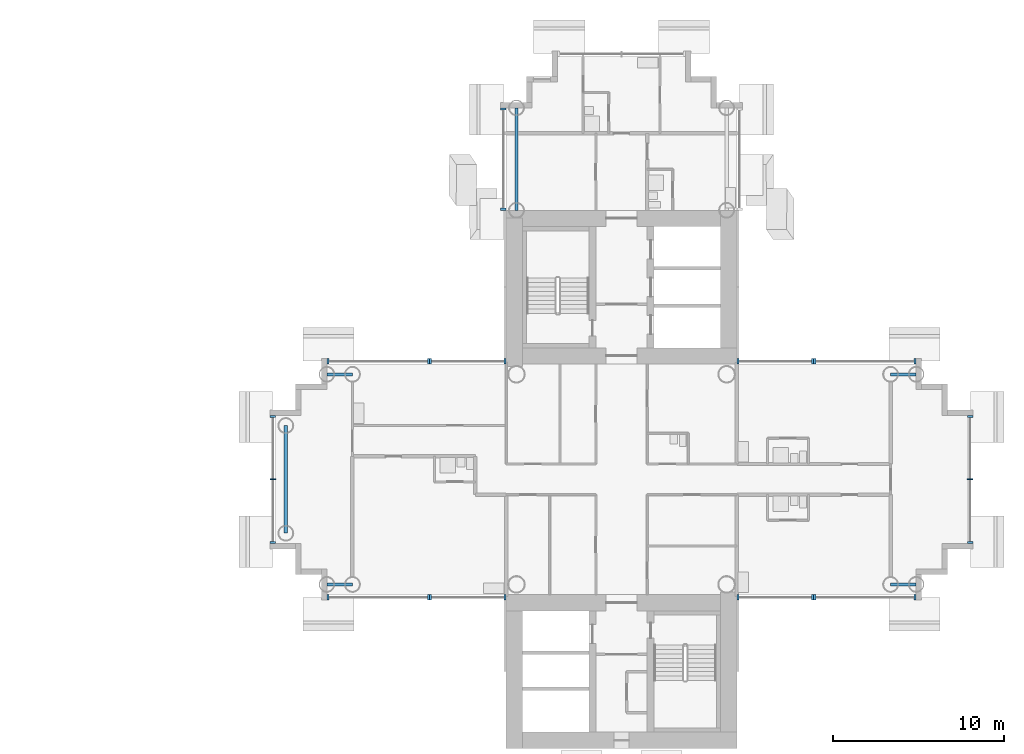
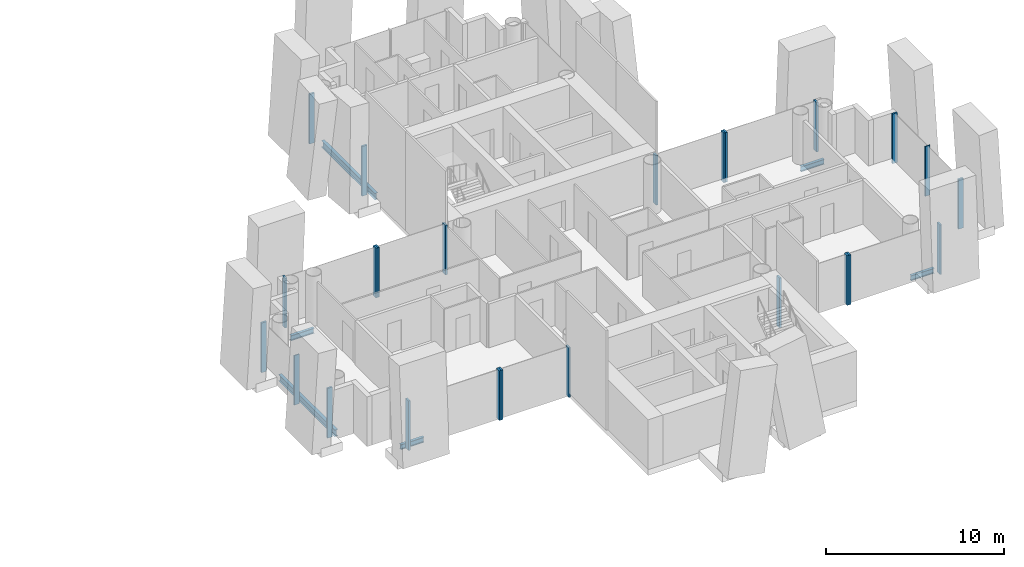
# One storey, part 5 of 21: 24 members, 6 beams, 11 elements without a shape of their own.
"""IFC4 building model written with IfcOpenShell, lengths in metres."""

import ifcopenshell
import ifcopenshell.guid

model = None  # the IFC model being written
_history = None  # IfcOwnerHistory: only IFC2X3 demands one
_inside = {}  # id of a spatial element -> (the spatial element, [elements in it])
_under = {}  # id of a project, library or spatial element -> (it, [spatial elements below it])
_declared = {}  # id of a project -> (the project, [libraries it declares])
_typed = {}  # id of a type object -> (the type object, [elements of that type])
_made_of = {}  # id of a material, layer set ... -> (it, [elements and type objects made of it])


def new_model(schema):
    """Start an empty IFC model of exactly this schema.

    Asked for "IFC4X3", IfcOpenShell would pick the latest addendum, in which some entities
    have other attributes; the version numbers below select the first issue.
    IFC2X3 requires an IfcOwnerHistory on every rooted entity: one is made here for all.
    """
    global model, _history
    if schema == "IFC4X3":
        model = ifcopenshell.file(schema_version=(4, 3, 0, 0))
    else:
        model = ifcopenshell.file(schema=schema)
    _inside.clear()
    _under.clear()
    _declared.clear()
    _typed.clear()
    _made_of.clear()
    _history = None
    if model.schema == "IFC2X3":
        org = make("IfcOrganization", Name="unknown")
        user = make(
            "IfcPersonAndOrganization",
            ThePerson=make("IfcPerson", FamilyName="unknown"),
            TheOrganization=org,
        )
        app = make(
            "IfcApplication",
            ApplicationDeveloper=org,
            Version="unknown",
            ApplicationFullName="unknown",
            ApplicationIdentifier="unknown",
        )
        _history = make(
            "IfcOwnerHistory",
            OwningUser=user,
            OwningApplication=app,
            ChangeAction="ADDED",
            CreationDate=0,
        )
    return model


def make(cls, **values):
    """One entity of the class cls with the attributes given. An attribute that is None is left unset."""
    return model.create_entity(
        cls, **{name: value for name, value in values.items() if value is not None}
    )


def rooted(cls, **values):
    """An entity with a GlobalId (a new one), such as an element, a storey or a relation."""
    return make(cls, GlobalId=ifcopenshell.guid.new(), OwnerHistory=_history, **values)


def si_unit(unit_type, name, prefix=None):
    """IfcSIUnit, for example si_unit("LENGTHUNIT", "METRE", prefix="MILLI")."""
    return make("IfcSIUnit", UnitType=unit_type, Prefix=prefix, Name=name)


def assignment(units):
    """IfcUnitAssignment: the units of a project."""
    return None if units is None else make("IfcUnitAssignment", Units=units)


def point(xyz):
    """IfcCartesianPoint."""
    return None if xyz is None else make("IfcCartesianPoint", Coordinates=xyz)


def direction(xyz):
    """IfcDirection."""
    return None if xyz is None else make("IfcDirection", DirectionRatios=xyz)


def frame(location, z_axis=None, x_axis=None):
    """IfcAxis2Placement3D, a coordinate frame: its origin and axes. An axis left out is left unset."""
    return make(
        "IfcAxis2Placement3D",
        Location=point(location),
        Axis=direction(z_axis),
        RefDirection=direction(x_axis),
    )


def frame_2d(location, x_axis=None):
    """IfcAxis2Placement2D, a coordinate frame in the plane: its origin and x axis."""
    return make(
        "IfcAxis2Placement2D", Location=point(location), RefDirection=direction(x_axis)
    )


def origin():
    """The frame at (0, 0, 0) with its axes left unset."""
    return frame((0.0, 0.0, 0.0))


def origin_2d():
    """The frame at (0, 0) in the plane with its x axis left unset."""
    return frame_2d((0.0, 0.0))


def place(relative_to, where):
    """IfcLocalPlacement: puts the frame where relative to a parent placement (None: the world)."""
    return make(
        "IfcLocalPlacement", PlacementRelTo=relative_to, RelativePlacement=where
    )


def context(
    kind, dimensions, precision=None, world=None, true_north=None, identifier=None
):
    """IfcGeometricRepresentationContext, for example the 3D "Model" context."""
    return make(
        "IfcGeometricRepresentationContext",
        ContextIdentifier=identifier,
        ContextType=kind,
        CoordinateSpaceDimension=dimensions,
        Precision=precision,
        WorldCoordinateSystem=world,
        TrueNorth=true_north,
    )


def subcontext(parent, identifier, kind, view, scale=None):
    """IfcGeometricRepresentationSubContext, for example "Body" below "Model"."""
    return make(
        "IfcGeometricRepresentationSubContext",
        ContextIdentifier=identifier,
        ContextType=kind,
        ParentContext=parent,
        TargetScale=scale,
        TargetView=view,
    )


def project(units=None, contexts=None):
    """IfcProject with its units and contexts."""
    return rooted(
        "IfcProject",
        Name="project",
        RepresentationContexts=contexts,
        UnitsInContext=assignment(units),
    )


def spatial(cls, under=None, at=None, **own):
    """A site, building, storey or space (cls), placed at a placement, below another one or the project."""
    s = rooted(cls, ObjectPlacement=at, **own)
    if under is not None:
        _under.setdefault(under.id(), (under, []))[1].append(s)
    return s


def profile(cls, at=None, kind="AREA", **sizes):
    """A parametric profile (cls). Its sizes go by their IFC names, for example OverallWidth=200.0."""
    return make(cls, ProfileType=kind, Position=at, **sizes)


def rectangle(**sizes):
    """IfcRectangleProfileDef."""
    return profile("IfcRectangleProfileDef", **sizes)


def i_section(**sizes):
    """IfcIShapeProfileDef."""
    return profile("IfcIShapeProfileDef", **sizes)


def extrude(swept, where, along, depth):
    """IfcExtrudedAreaSolid: the profile swept, set in the frame where, extruded along a direction by depth."""
    return make(
        "IfcExtrudedAreaSolid",
        SweptArea=swept,
        Position=where,
        ExtrudedDirection=direction(along),
        Depth=depth,
    )


def shape(context_of_items, identifier, shape_type, items):
    """IfcShapeRepresentation: the items that make up one representation, for example the "Body"."""
    return make(
        "IfcShapeRepresentation",
        ContextOfItems=context_of_items,
        RepresentationIdentifier=identifier,
        RepresentationType=shape_type,
        Items=items,
    )


def material(Name=None, Category=None):
    """IfcMaterial."""
    return make("IfcMaterial", Name=Name, Category=Category)


def layer(
    of_material, thickness, ventilated=None, Name=None, Category=None, Priority=None
):
    """IfcMaterialLayer: one layer of a wall or slab, of a material (None: an air gap)."""
    return make(
        "IfcMaterialLayer",
        Material=of_material,
        LayerThickness=thickness,
        IsVentilated=ventilated,
        Name=Name,
        Category=Category,
        Priority=Priority,
    )


def layer_set(layers, Name=None):
    """IfcMaterialLayerSet."""
    return make("IfcMaterialLayerSet", MaterialLayers=layers, LayerSetName=Name)


def material_profile(
    of_material, cross_section, Name=None, Category=None, Priority=None
):
    """IfcMaterialProfile: a cross section and its material."""
    return make(
        "IfcMaterialProfile",
        Name=Name,
        Material=of_material,
        Profile=cross_section,
        Priority=Priority,
        Category=Category,
    )


def profile_set(profiles, Name=None, composite=None):
    """IfcMaterialProfileSet."""
    return make(
        "IfcMaterialProfileSet",
        Name=Name,
        MaterialProfiles=profiles,
        CompositeProfile=composite,
    )


def made_of(thing, what):
    """Note that an element or type object is made of a material, layer set ...; save() writes the relation."""
    if what is not None:
        _made_of.setdefault(what.id(), (what, []))[1].append(thing)
    return thing


def type_object(cls, material=None, **own):
    """A type object (cls), such as IfcWallType, which elements share."""
    return made_of(rooted(cls, **own), material)


def element(
    cls,
    number,
    at=None,
    inside=None,
    cuts=None,
    type_object=None,
    material=None,
    context=None,
    identifier="Body",
    shape_type=None,
    held_by="IfcProductDefinitionShape",
    body=None,
    shapes=None,
    **own,
):
    """One element of the class cls, such as IfcWall. Its Tag is "e" and its number.

    at: its placement. inside: the storey or other place that contains it. cuts: it is an
    opening in that element (IfcRelVoidsElement). A single representation is given by context,
    identifier, shape_type and body (its items); several are given by shapes. held_by: the class
    of the entity that holds the representations. save() writes the other relations.
    """
    e = rooted(cls, Tag="e%d" % number, ObjectPlacement=at, **own)
    if body is not None:
        shapes = [shape(context, identifier, shape_type, body)]
    if shapes is not None:
        e.Representation = make(held_by, Representations=shapes)
    if inside is not None:
        _inside.setdefault(inside.id(), (inside, []))[1].append(e)
    if cuts is not None:
        rooted(
            "IfcRelVoidsElement", RelatingBuildingElement=cuts, RelatedOpeningElement=e
        )
    if type_object is not None:
        _typed.setdefault(type_object.id(), (type_object, []))[1].append(e)
    return made_of(e, material)


def aggregate(whole, parts):
    """IfcRelAggregates: a whole, such as a stair, and the parts it consists of."""
    return rooted("IfcRelAggregates", RelatingObject=whole, RelatedObjects=parts)


def save(model, path):
    """Write the relations noted so far, then the file.

    IfcRelAggregates (storeys below a building ...), IfcRelContainedInSpatialStructure (elements
    in a storey), IfcRelDefinesByType, IfcRelAssociatesMaterial and IfcRelDeclares: one each for
    every whole, place, type object, material and project.
    """
    for whole, parts in _under.values():
        aggregate(whole, parts)
    for where, things in _inside.values():
        rooted(
            "IfcRelContainedInSpatialStructure",
            RelatedElements=things,
            RelatingStructure=where,
        )
    for kind, things in _typed.values():
        rooted("IfcRelDefinesByType", RelatedObjects=things, RelatingType=kind)
    for what, things in _made_of.values():
        rooted("IfcRelAssociatesMaterial", RelatedObjects=things, RelatingMaterial=what)
    for by, libraries in _declared.values():
        rooted("IfcRelDeclares", RelatingContext=by, RelatedDefinitions=libraries)
    model.write(path)


model = new_model("IFC4")

# Units and contexts
model_context = context("Model", 3, precision=1e-05, world=origin(), true_north=direction((0.0, 1.0)))
body_context = subcontext(model_context, "Body", "Model", "MODEL_VIEW")
ifc_project = project(units=[si_unit("LENGTHUNIT", "METRE"), si_unit("AREAUNIT", "SQUARE_METRE"), si_unit("VOLUMEUNIT", "CUBIC_METRE"), si_unit("PLANEANGLEUNIT", "RADIAN"), si_unit("MASSUNIT", "GRAM", prefix="KILO")], contexts=[model_context])

# Site, building, storey
site_placement = place(None, origin())
site = spatial("IfcSite", under=ifc_project, at=site_placement, CompositionType="ELEMENT")
building_placement = place(site_placement, origin())
building = spatial("IfcBuilding", under=site, at=building_placement, Name="Ipe Terrace Towers", CompositionType="ELEMENT")
storey_placement = place(building_placement, frame((0.0, 0.0, 86.800048828125)))
storey = spatial("IfcBuildingStorey", under=building, at=storey_placement, Name="L23", CompositionType="ELEMENT", Elevation=86.800048828125)

# Beams
ifc_material_1 = material(Name="Steel S355", Category="steel")
ifc_material_profile_1 = material_profile(ifc_material_1, i_section(OverallWidth=0.175048828125, OverallDepth=0.35009765625, WebThickness=0.007080078125, FlangeThickness=0.010986328125, at=origin_2d()), Name="H-350x175x7x11")
ifc_profile_set_1 = profile_set([ifc_material_profile_1], Name="Steel S355")
beam_type_1 = type_object("IfcBeamType", Name="H04 EDGE BEAM H-350x175x7x11", PredefinedType="BEAM", material=ifc_profile_set_1)
for number, where, z_axis, x_axis, name in (
    (1, (20.25, 6.14990234375, -0.574951171875), (-1.0, 0.0, 0.0), (0.0, -1.0, 0.0), "Edge beam T2-EB-B03-B05"),
    (2, (20.25, -6.14990234375, -0.574951171875), (-1.0, 0.0, 0.0), (0.0, -1.0, 0.0), "Edge beam T2-EB-B04-B06"),
    (3, (51.75, -6.14990234375, -0.574951171875), (1.0, 0.0, 0.0), (0.0, 1.0, 0.0), "Edge beam T2-EB-D03-D05"),
    (4, (51.75, 6.14990234375, -0.574951171875), (1.0, 0.0, 0.0), (0.0, 1.0, 0.0), "Edge beam T2-EB-D04-D06"),
):
    element("IfcBeam", number, at=place(storey_placement, frame(where, z_axis=z_axis, x_axis=x_axis)), inside=storey, type_object=beam_type_1, Name=name, PredefinedType="BEAM", context=body_context, shape_type="SweptSolid", body=[
        extrude(i_section(OverallWidth=0.175048828125, OverallDepth=0.35009765625, WebThickness=0.007080078125, FlangeThickness=0.010986328125, at=origin_2d()), origin(), (0.0, 0.0, 1.0), 1.5),
    ])
ifc_material_2 = material(Name="Steel S355", Category="steel")
ifc_material_profile_2 = material_profile(ifc_material_2, i_section(OverallWidth=0.199951171875, OverallDepth=0.449951171875, WebThickness=0.009033203125, FlangeThickness=0.013916015625, at=origin_2d()), Name="H-450x200x9x14")
ifc_profile_set_2 = profile_set([ifc_material_profile_2], Name="Steel S355")
beam_type_2 = type_object("IfcBeamType", Name="H08 EDGE BEAM H-450x200x9x14", PredefinedType="BEAM", material=ifc_profile_set_2)
beam_1_placement = place(storey_placement, frame((29.85009765625, 15.75, -0.625), z_axis=(0.0, 1.0, 0.0), x_axis=(-1.0, 0.0, 0.0)))
element("IfcBeam", 5, at=beam_1_placement, inside=storey, type_object=beam_type_2, Name="Edge beam T2-EB-A02-A04", PredefinedType="BEAM", context=body_context, shape_type="SweptSolid", body=[
    extrude(i_section(OverallWidth=0.199951171875, OverallDepth=0.449951171875, WebThickness=0.009033203125, FlangeThickness=0.013916015625, at=origin_2d()), origin(), (0.0, 0.0, 1.0), 6.0),
])
beam_2_placement = place(storey_placement, frame((16.35009765625, 3.14990234375, -0.625), z_axis=(0.0, -1.0, 0.0), x_axis=(1.0, 0.0, 0.0)))
element("IfcBeam", 6, at=beam_2_placement, inside=storey, type_object=beam_type_2, Name="Edge beam T2-EB-B07-B08", PredefinedType="BEAM", context=body_context, shape_type="SweptSolid", body=[
    extrude(i_section(OverallWidth=0.199951171875, OverallDepth=0.449951171875, WebThickness=0.009033203125, FlangeThickness=0.013916015625, at=origin_2d()), origin(), (0.0, 0.0, 1.0), 6.2998046875),
])

# Curtain wall, members
ifc_material_3 = material(Name="Aluminium alloy 6063-T6", Category="aluminium")
ifc_layer = layer(ifc_material_3, 0.320068359375)
ifc_layer_set = layer_set([ifc_layer], Name="TOWER UNITISED CURTAIN WALL")
curtain_wall_type = type_object("IfcCurtainWallType", Name="TOWER UNITISED CURTAIN WALL", PredefinedType="NOTDEFINED", material=ifc_layer_set)
curtain_wall_1_placement = place(storey_placement, origin())
curtain_wall_1 = element("IfcCurtainWall", 7, at=curtain_wall_1_placement, inside=storey, type_object=curtain_wall_type, Name="T2-CW-L23-02a curtain wall", PredefinedType="NOTDEFINED")
ifc_material_4 = material(Name="Aluminium alloy 6063-T6", Category="aluminium")
ifc_material_profile_3 = material_profile(ifc_material_4, rectangle(XDim=0.320068359375, YDim=0.1201171875, at=origin_2d()), Name="TOWER UNITISED CORNER MULLION 320 x 120")
ifc_profile_set_3 = profile_set([ifc_material_profile_3], Name="Aluminium alloy 6063-T6")
member_type_1 = type_object("IfcMemberType", Name="TOWER UNITISED CORNER MULLION 320 x 120", PredefinedType="MULLION", material=ifc_profile_set_3)
member_1_placement = place(storey_placement, frame((42.81005859375, -6.909912109375, -0.300048828125), z_axis=(0.0, 0.0, 1.0), x_axis=(0.0, -1.0, 0.0)))
member_1 = element("IfcMember", 8, at=member_1_placement, type_object=member_type_1, Name="T2-CW-L23-02a mullion 1", PredefinedType="MULLION", context=body_context, shape_type="SweptSolid", body=[
    extrude(rectangle(XDim=0.320068359375, YDim=0.1201171875, at=origin_2d()), origin(), (0.0, 0.0, 1.0), 3.39990234375),
])
member_2_placement = place(storey_placement, frame((47.18994140625, -6.909912109375, -0.300048828125), z_axis=(0.0, 0.0, 1.0), x_axis=(0.0, -1.0, 0.0)))
member_2 = element("IfcMember", 9, at=member_2_placement, type_object=member_type_1, Name="T2-CW-L23-02a mullion 2", PredefinedType="MULLION", context=body_context, shape_type="SweptSolid", body=[
    extrude(rectangle(XDim=0.320068359375, YDim=0.1201171875, at=origin_2d()), origin(), (0.0, 0.0, 1.0), 3.39990234375),
])
aggregate(curtain_wall_1, [member_1, member_2])

curtain_wall_2_placement = place(storey_placement, origin())
curtain_wall_2 = element("IfcCurtainWall", 10, at=curtain_wall_2_placement, inside=storey, type_object=curtain_wall_type, Name="T2-CW-L23-03a curtain wall", PredefinedType="NOTDEFINED")
member_3_placement = place(storey_placement, frame((47.31005859375, -6.909912109375, -0.300048828125), z_axis=(0.0, 0.0, 1.0), x_axis=(0.0, -1.0, 0.0)))
member_3 = element("IfcMember", 11, at=member_3_placement, type_object=member_type_1, Name="T2-CW-L23-03a mullion 1", PredefinedType="MULLION", context=body_context, shape_type="SweptSolid", body=[
    extrude(rectangle(XDim=0.320068359375, YDim=0.1201171875, at=origin_2d()), origin(), (0.0, 0.0, 1.0), 3.39990234375),
])
member_4_placement = place(storey_placement, frame((53.18994140625, -6.909912109375, -0.300048828125), z_axis=(0.0, 0.0, 1.0), x_axis=(0.0, -1.0, 0.0)))
member_4 = element("IfcMember", 12, at=member_4_placement, type_object=member_type_1, Name="T2-CW-L23-03a mullion 2", PredefinedType="MULLION", context=body_context, shape_type="SweptSolid", body=[
    extrude(rectangle(XDim=0.320068359375, YDim=0.1201171875, at=origin_2d()), origin(), (0.0, 0.0, 1.0), 3.39990234375),
])
aggregate(curtain_wall_2, [member_3, member_4])

curtain_wall_3_placement = place(storey_placement, origin())
curtain_wall_3 = element("IfcCurtainWall", 13, at=curtain_wall_3_placement, inside=storey, type_object=curtain_wall_type, Name="T2-CW-L23-08a curtain wall", PredefinedType="NOTDEFINED")
member_5_placement = place(storey_placement, frame((56.409912109375, -3.68994140625, -0.300048828125), z_axis=(0.0, 0.0, 1.0), x_axis=(1.0, 0.0, 0.0)))
member_5 = element("IfcMember", 14, at=member_5_placement, type_object=member_type_1, Name="T2-CW-L23-08a mullion 1", PredefinedType="MULLION", context=body_context, shape_type="SweptSolid", body=[
    extrude(rectangle(XDim=0.320068359375, YDim=0.1201171875, at=origin_2d()), origin(), (0.0, 0.0, 1.0), 3.39990234375),
])
member_6_placement = place(storey_placement, frame((56.409912109375, 3.68994140625, -0.300048828125), z_axis=(0.0, 0.0, 1.0), x_axis=(1.0, 0.0, 0.0)))
member_6 = element("IfcMember", 15, at=member_6_placement, type_object=member_type_1, Name="T2-CW-L23-08a mullion 3", PredefinedType="MULLION", context=body_context, shape_type="SweptSolid", body=[
    extrude(rectangle(XDim=0.320068359375, YDim=0.1201171875, at=origin_2d()), origin(), (0.0, 0.0, 1.0), 3.39990234375),
])

curtain_wall_4_placement = place(storey_placement, origin())
curtain_wall_4 = element("IfcCurtainWall", 16, at=curtain_wall_4_placement, inside=storey, type_object=curtain_wall_type, Name="T2-CW-L23-13a curtain wall", PredefinedType="NOTDEFINED")
member_7_placement = place(storey_placement, frame((53.18994140625, 6.909912109375, -0.300048828125), z_axis=(0.0, 0.0, 1.0), x_axis=(0.0, 1.0, 0.0)))
member_7 = element("IfcMember", 17, at=member_7_placement, type_object=member_type_1, Name="T2-CW-L23-13a mullion 1", PredefinedType="MULLION", context=body_context, shape_type="SweptSolid", body=[
    extrude(rectangle(XDim=0.320068359375, YDim=0.1201171875, at=origin_2d()), origin(), (0.0, 0.0, 1.0), 3.39990234375),
])
member_8_placement = place(storey_placement, frame((47.31005859375, 6.909912109375, -0.300048828125), z_axis=(0.0, 0.0, 1.0), x_axis=(0.0, 1.0, 0.0)))
member_8 = element("IfcMember", 18, at=member_8_placement, type_object=member_type_1, Name="T2-CW-L23-13a mullion 2", PredefinedType="MULLION", context=body_context, shape_type="SweptSolid", body=[
    extrude(rectangle(XDim=0.320068359375, YDim=0.1201171875, at=origin_2d()), origin(), (0.0, 0.0, 1.0), 3.39990234375),
])
aggregate(curtain_wall_4, [member_7, member_8])

curtain_wall_5_placement = place(storey_placement, origin())
curtain_wall_5 = element("IfcCurtainWall", 19, at=curtain_wall_5_placement, inside=storey, type_object=curtain_wall_type, Name="T2-CW-L23-14a curtain wall", PredefinedType="NOTDEFINED")
member_9_placement = place(storey_placement, frame((47.18994140625, 6.909912109375, -0.300048828125), z_axis=(0.0, 0.0, 1.0), x_axis=(0.0, 1.0, 0.0)))
member_9 = element("IfcMember", 20, at=member_9_placement, type_object=member_type_1, Name="T2-CW-L23-14a mullion 1", PredefinedType="MULLION", context=body_context, shape_type="SweptSolid", body=[
    extrude(rectangle(XDim=0.320068359375, YDim=0.1201171875, at=origin_2d()), origin(), (0.0, 0.0, 1.0), 3.39990234375),
])
member_10_placement = place(storey_placement, frame((42.81005859375, 6.909912109375, -0.300048828125), z_axis=(0.0, 0.0, 1.0), x_axis=(0.0, 1.0, 0.0)))
member_10 = element("IfcMember", 21, at=member_10_placement, type_object=member_type_1, Name="T2-CW-L23-14a mullion 2", PredefinedType="MULLION", context=body_context, shape_type="SweptSolid", body=[
    extrude(rectangle(XDim=0.320068359375, YDim=0.1201171875, at=origin_2d()), origin(), (0.0, 0.0, 1.0), 3.39990234375),
])
aggregate(curtain_wall_5, [member_9, member_10])

curtain_wall_6_placement = place(storey_placement, origin())
curtain_wall_6 = element("IfcCurtainWall", 22, at=curtain_wall_6_placement, inside=storey, type_object=curtain_wall_type, Name="T2-CW-L23-26a curtain wall", PredefinedType="NOTDEFINED")
member_11_placement = place(storey_placement, frame((29.090087890625, 21.68994140625, -0.300048828125), z_axis=(0.0, 0.0, 1.0), x_axis=(-1.0, 0.0, 0.0)))
member_11 = element("IfcMember", 23, at=member_11_placement, type_object=member_type_1, Name="T2-CW-L23-26a mullion 1", PredefinedType="MULLION", context=body_context, shape_type="SweptSolid", body=[
    extrude(rectangle(XDim=0.320068359375, YDim=0.1201171875, at=origin_2d()), origin(), (0.0, 0.0, 1.0), 3.39990234375),
])
member_12_placement = place(storey_placement, frame((29.090087890625, 15.81103515625, -0.300048828125), z_axis=(0.0, 0.0, 1.0), x_axis=(-1.0, 0.0, 0.0)))
member_12 = element("IfcMember", 24, at=member_12_placement, type_object=member_type_1, Name="T2-CW-L23-26a mullion 2", PredefinedType="MULLION", context=body_context, shape_type="SweptSolid", body=[
    extrude(rectangle(XDim=0.320068359375, YDim=0.1201171875, at=origin_2d()), origin(), (0.0, 0.0, 1.0), 3.39990234375),
])
aggregate(curtain_wall_6, [member_11, member_12])

curtain_wall_7_placement = place(storey_placement, origin())
curtain_wall_7 = element("IfcCurtainWall", 25, at=curtain_wall_7_placement, inside=storey, type_object=curtain_wall_type, Name="T2-CW-L23-28a curtain wall", PredefinedType="NOTDEFINED")
member_13_placement = place(storey_placement, frame((29.18994140625, 6.909912109375, -0.300048828125), z_axis=(0.0, 0.0, 1.0), x_axis=(0.0, 1.0, 0.0)))
member_13 = element("IfcMember", 26, at=member_13_placement, type_object=member_type_1, Name="T2-CW-L23-28a mullion 1", PredefinedType="MULLION", context=body_context, shape_type="SweptSolid", body=[
    extrude(rectangle(XDim=0.320068359375, YDim=0.1201171875, at=origin_2d()), origin(), (0.0, 0.0, 1.0), 3.39990234375),
])
member_14_placement = place(storey_placement, frame((24.81005859375, 6.909912109375, -0.300048828125), z_axis=(0.0, 0.0, 1.0), x_axis=(0.0, 1.0, 0.0)))
member_14 = element("IfcMember", 27, at=member_14_placement, type_object=member_type_1, Name="T2-CW-L23-28a mullion 2", PredefinedType="MULLION", context=body_context, shape_type="SweptSolid", body=[
    extrude(rectangle(XDim=0.320068359375, YDim=0.1201171875, at=origin_2d()), origin(), (0.0, 0.0, 1.0), 3.39990234375),
])
aggregate(curtain_wall_7, [member_13, member_14])

curtain_wall_8_placement = place(storey_placement, origin())
curtain_wall_8 = element("IfcCurtainWall", 28, at=curtain_wall_8_placement, inside=storey, type_object=curtain_wall_type, Name="T2-CW-L23-29a curtain wall", PredefinedType="NOTDEFINED")
member_15_placement = place(storey_placement, frame((24.68994140625, 6.909912109375, -0.300048828125), z_axis=(0.0, 0.0, 1.0), x_axis=(0.0, 1.0, 0.0)))
member_15 = element("IfcMember", 29, at=member_15_placement, type_object=member_type_1, Name="T2-CW-L23-29a mullion 1", PredefinedType="MULLION", context=body_context, shape_type="SweptSolid", body=[
    extrude(rectangle(XDim=0.320068359375, YDim=0.1201171875, at=origin_2d()), origin(), (0.0, 0.0, 1.0), 3.39990234375),
])
member_16_placement = place(storey_placement, frame((18.81005859375, 6.909912109375, -0.300048828125), z_axis=(0.0, 0.0, 1.0), x_axis=(0.0, 1.0, 0.0)))
member_16 = element("IfcMember", 30, at=member_16_placement, type_object=member_type_1, Name="T2-CW-L23-29a mullion 2", PredefinedType="MULLION", context=body_context, shape_type="SweptSolid", body=[
    extrude(rectangle(XDim=0.320068359375, YDim=0.1201171875, at=origin_2d()), origin(), (0.0, 0.0, 1.0), 3.39990234375),
])
aggregate(curtain_wall_8, [member_15, member_16])

curtain_wall_9_placement = place(storey_placement, origin())
curtain_wall_9 = element("IfcCurtainWall", 31, at=curtain_wall_9_placement, inside=storey, type_object=curtain_wall_type, Name="T2-CW-L23-34a curtain wall", PredefinedType="NOTDEFINED")
member_17_placement = place(storey_placement, frame((15.590087890625, 3.68994140625, -0.300048828125), z_axis=(0.0, 0.0, 1.0), x_axis=(-1.0, 0.0, 0.0)))
member_17 = element("IfcMember", 32, at=member_17_placement, type_object=member_type_1, Name="T2-CW-L23-34a mullion 1", PredefinedType="MULLION", context=body_context, shape_type="SweptSolid", body=[
    extrude(rectangle(XDim=0.320068359375, YDim=0.1201171875, at=origin_2d()), origin(), (0.0, 0.0, 1.0), 3.39990234375),
])
member_18_placement = place(storey_placement, frame((15.590087890625, -3.68994140625, -0.300048828125), z_axis=(0.0, 0.0, 1.0), x_axis=(-1.0, 0.0, 0.0)))
member_18 = element("IfcMember", 33, at=member_18_placement, type_object=member_type_1, Name="T2-CW-L23-34a mullion 3", PredefinedType="MULLION", context=body_context, shape_type="SweptSolid", body=[
    extrude(rectangle(XDim=0.320068359375, YDim=0.1201171875, at=origin_2d()), origin(), (0.0, 0.0, 1.0), 3.39990234375),
])

curtain_wall_10_placement = place(storey_placement, origin())
curtain_wall_10 = element("IfcCurtainWall", 34, at=curtain_wall_10_placement, inside=storey, type_object=curtain_wall_type, Name="T2-CW-L23-39a curtain wall", PredefinedType="NOTDEFINED")
member_19_placement = place(storey_placement, frame((18.81005859375, -6.909912109375, -0.300048828125), z_axis=(0.0, 0.0, 1.0), x_axis=(0.0, -1.0, 0.0)))
member_19 = element("IfcMember", 35, at=member_19_placement, type_object=member_type_1, Name="T2-CW-L23-39a mullion 1", PredefinedType="MULLION", context=body_context, shape_type="SweptSolid", body=[
    extrude(rectangle(XDim=0.320068359375, YDim=0.1201171875, at=origin_2d()), origin(), (0.0, 0.0, 1.0), 3.39990234375),
])
member_20_placement = place(storey_placement, frame((24.68994140625, -6.909912109375, -0.300048828125), z_axis=(0.0, 0.0, 1.0), x_axis=(0.0, -1.0, 0.0)))
member_20 = element("IfcMember", 36, at=member_20_placement, type_object=member_type_1, Name="T2-CW-L23-39a mullion 2", PredefinedType="MULLION", context=body_context, shape_type="SweptSolid", body=[
    extrude(rectangle(XDim=0.320068359375, YDim=0.1201171875, at=origin_2d()), origin(), (0.0, 0.0, 1.0), 3.39990234375),
])
aggregate(curtain_wall_10, [member_19, member_20])

curtain_wall_11_placement = place(storey_placement, origin())
curtain_wall_11 = element("IfcCurtainWall", 37, at=curtain_wall_11_placement, inside=storey, type_object=curtain_wall_type, Name="T2-CW-L23-40a curtain wall", PredefinedType="NOTDEFINED")
member_21_placement = place(storey_placement, frame((24.81005859375, -6.909912109375, -0.300048828125), z_axis=(0.0, 0.0, 1.0), x_axis=(0.0, -1.0, 0.0)))
member_21 = element("IfcMember", 38, at=member_21_placement, type_object=member_type_1, Name="T2-CW-L23-40a mullion 1", PredefinedType="MULLION", context=body_context, shape_type="SweptSolid", body=[
    extrude(rectangle(XDim=0.320068359375, YDim=0.1201171875, at=origin_2d()), origin(), (0.0, 0.0, 1.0), 3.39990234375),
])
member_22_placement = place(storey_placement, frame((29.18994140625, -6.909912109375, -0.300048828125), z_axis=(0.0, 0.0, 1.0), x_axis=(0.0, -1.0, 0.0)))
member_22 = element("IfcMember", 39, at=member_22_placement, type_object=member_type_1, Name="T2-CW-L23-40a mullion 2", PredefinedType="MULLION", context=body_context, shape_type="SweptSolid", body=[
    extrude(rectangle(XDim=0.320068359375, YDim=0.1201171875, at=origin_2d()), origin(), (0.0, 0.0, 1.0), 3.39990234375),
])
aggregate(curtain_wall_11, [member_21, member_22])

# Member
ifc_material_5 = material(Name="Aluminium alloy 6063-T6", Category="aluminium")
ifc_material_profile_4 = material_profile(ifc_material_5, rectangle(XDim=0.320068359375, YDim=0.06494140625, at=origin_2d()), Name="TOWER UNITISED MULLION 320 x 65")
ifc_profile_set_4 = profile_set([ifc_material_profile_4], Name="Aluminium alloy 6063-T6")
member_type_2 = type_object("IfcMemberType", Name="TOWER UNITISED MULLION 320 x 65", PredefinedType="MULLION", material=ifc_profile_set_4)
member_23_placement = place(storey_placement, frame((56.409912109375, 0.0, -0.300048828125), z_axis=(0.0, 0.0, 1.0), x_axis=(1.0, 0.0, 0.0)))
member_23 = element("IfcMember", 40, at=member_23_placement, type_object=member_type_2, Name="T2-CW-L23-08a mullion 2", PredefinedType="MULLION", context=body_context, shape_type="SweptSolid", body=[
    extrude(rectangle(XDim=0.320068359375, YDim=0.06494140625, at=origin_2d()), origin(), (0.0, 0.0, 1.0), 3.39990234375),
])

aggregate(curtain_wall_3, [member_5, member_23, member_6])

member_24_placement = place(storey_placement, frame((15.590087890625, 0.0, -0.300048828125), z_axis=(0.0, 0.0, 1.0), x_axis=(-1.0, 0.0, 0.0)))
member_24 = element("IfcMember", 41, at=member_24_placement, type_object=member_type_2, Name="T2-CW-L23-34a mullion 2", PredefinedType="MULLION", context=body_context, shape_type="SweptSolid", body=[
    extrude(rectangle(XDim=0.320068359375, YDim=0.06494140625, at=origin_2d()), origin(), (0.0, 0.0, 1.0), 3.39990234375),
])

aggregate(curtain_wall_9, [member_17, member_24, member_18])

save(model, "model.ifc")
